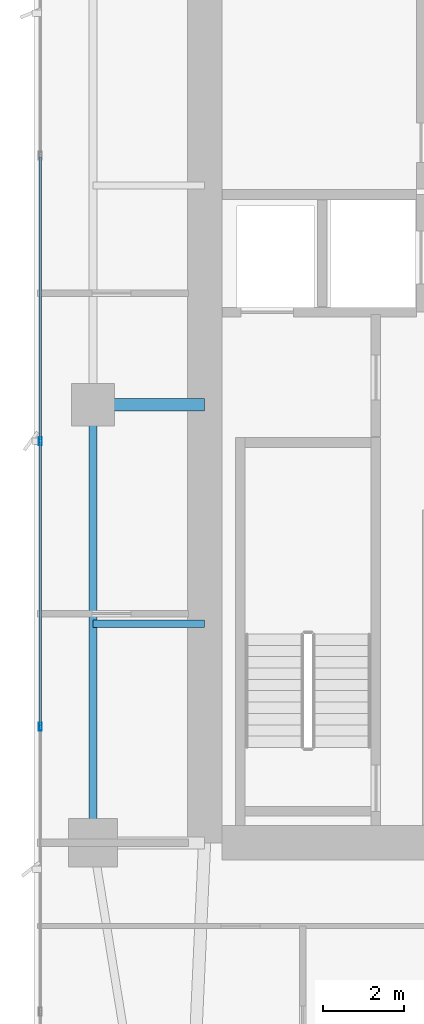
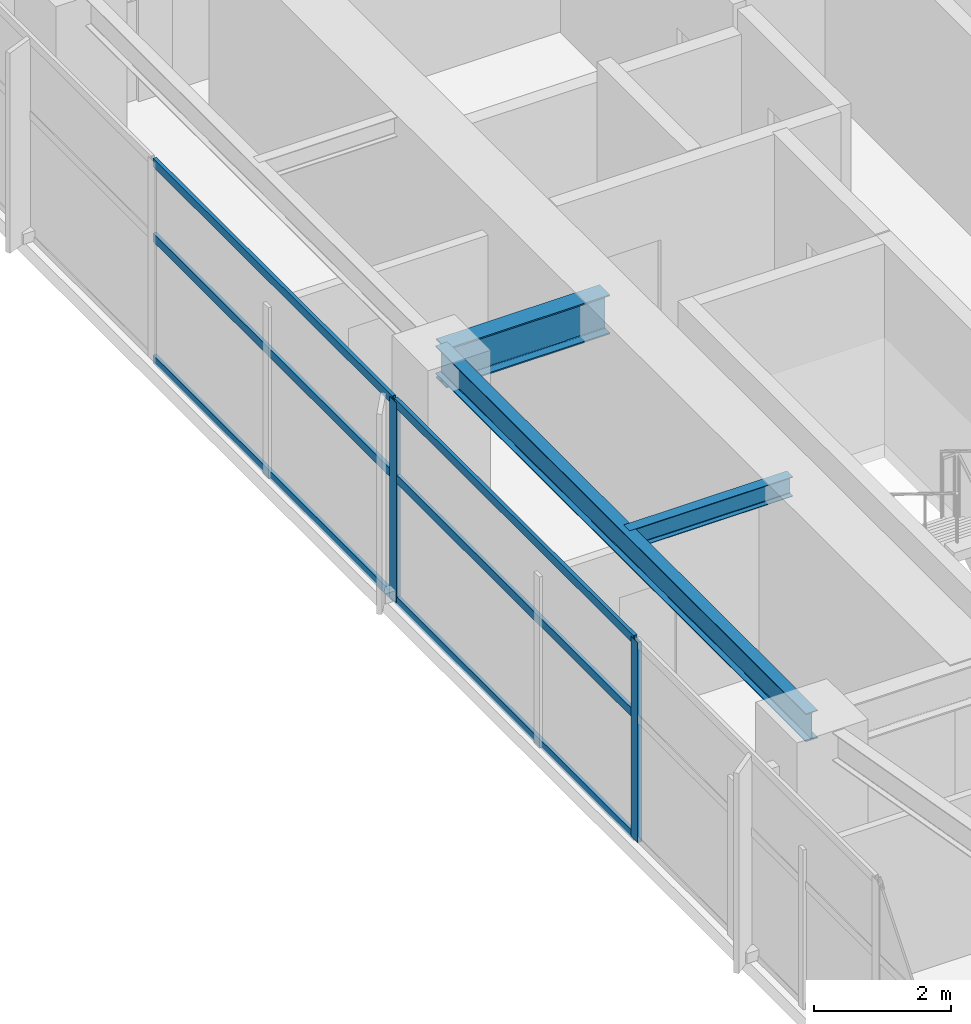
# One storey, part 8 of 29: 8 members, 3 beams, 1 element without a shape of its own.
"""IFC4 building model written with IfcOpenShell, lengths in metres."""

from ifc_helpers import new_model, si_unit, direction, frame, origin, origin_2d, place, context, subcontext, project, spatial, hollow_rectangle, i_section, extrude, material, layer, layer_set, material_profile, profile_set, type_object, element, aggregate, save


model = new_model("IFC4")

# Units and contexts
model_context = context("Model", 3, precision=1e-05, world=origin(), true_north=direction((0.0, 1.0)))
body_context = subcontext(model_context, "Body", "Model", "MODEL_VIEW")
ifc_project = project(units=[si_unit("LENGTHUNIT", "METRE"), si_unit("AREAUNIT", "SQUARE_METRE"), si_unit("VOLUMEUNIT", "CUBIC_METRE"), si_unit("PLANEANGLEUNIT", "RADIAN"), si_unit("MASSUNIT", "GRAM", prefix="KILO")], contexts=[model_context])

# Site, building, storey
site_placement = place(None, origin())
site = spatial("IfcSite", under=ifc_project, at=site_placement, CompositionType="ELEMENT")
building_placement = place(site_placement, origin())
building = spatial("IfcBuilding", under=site, at=building_placement, Name="Calvorn Quay Hotel", CompositionType="ELEMENT")
storey_placement = place(building_placement, frame((0.0, 0.0, 124.0)))
storey = spatial("IfcBuildingStorey", under=building, at=storey_placement, Name="L30", CompositionType="ELEMENT", Elevation=124.0)

# Beams
ifc_material_1 = material(Name="Steel Q390GJC", Category="steel")
ifc_material_profile_1 = material_profile(ifc_material_1, i_section(OverallWidth=0.300048828125, OverallDepth=0.699951171875, WebThickness=0.012939453125, FlangeThickness=0.02392578125, FilletRadius=0.02392578125, at=origin_2d()), Name="HN700x300x13x24")
ifc_profile_set_1 = profile_set([ifc_material_profile_1], Name="Steel Q390GJC")
beam_type_1 = type_object("IfcBeamType", Name="BM-GIRD-MAIN", PredefinedType="BEAM", material=ifc_profile_set_1)
beam_1_placement = place(storey_placement, frame((1.449951171875, 27.60009765625, 3.18994140625), z_axis=(1.0, 0.0, 0.0), x_axis=(0.0, 1.0, 0.0)))
element("IfcBeam", 1, at=beam_1_placement, inside=storey, type_object=beam_type_1, Name="Beam BG-L30-W2", PredefinedType="BEAM", context=body_context, shape_type="SweptSolid", body=[
    extrude(i_section(OverallWidth=0.300048828125, OverallDepth=0.699951171875, WebThickness=0.012939453125, FlangeThickness=0.02392578125, FilletRadius=0.02392578125, at=origin_2d()), origin(), (0.0, 0.0, 1.0), 2.75),
])
ifc_material_2 = material(Name="Steel Q355B", Category="steel")
ifc_material_profile_2 = material_profile(ifc_material_2, i_section(OverallWidth=0.175048828125, OverallDepth=0.35009765625, WebThickness=0.007080078125, FlangeThickness=0.010986328125, FilletRadius=0.013916015625, at=origin_2d()), Name="HN350x175x7x11")
ifc_profile_set_2 = profile_set([ifc_material_profile_2], Name="Steel Q355B")
beam_type_2 = type_object("IfcBeamType", Name="BM-JOIST-SEC", PredefinedType="JOIST", material=ifc_profile_set_2)
beam_2_placement = place(storey_placement, frame((1.449951171875, 22.199951171875, 3.364990234375), z_axis=(1.0, 0.0, 0.0), x_axis=(0.0, 1.0, 0.0)))
element("IfcBeam", 2, at=beam_2_placement, inside=storey, type_object=beam_type_2, Name="Beam BJ-L30-W3", PredefinedType="JOIST", context=body_context, shape_type="SweptSolid", body=[
    extrude(i_section(OverallWidth=0.175048828125, OverallDepth=0.35009765625, WebThickness=0.007080078125, FlangeThickness=0.010986328125, FilletRadius=0.013916015625, at=origin_2d()), origin(), (0.0, 0.0, 1.0), 2.75),
])
ifc_material_3 = material(Name="Steel Q355B", Category="steel")
ifc_material_profile_3 = material_profile(ifc_material_3, i_section(OverallWidth=0.199951171875, OverallDepth=0.5, WebThickness=0.010009765625, FlangeThickness=0.01611328125, FilletRadius=0.01611328125, at=origin_2d()), Name="HN500x200x10x16")
ifc_profile_set_3 = profile_set([ifc_material_profile_3], Name="Steel Q355B")
beam_type_3 = type_object("IfcBeamType", Name="BM-SPANDREL-Z1", PredefinedType="SPANDREL", material=ifc_profile_set_3)
beam_3_placement = place(storey_placement, frame((1.449951171875, 16.800048828125, 3.2900390625), z_axis=(0.0, 1.0, 0.0), x_axis=(-1.0, 0.0, 0.0)))
element("IfcBeam", 3, at=beam_3_placement, inside=storey, type_object=beam_type_3, Name="Beam BSP-L30-W2", PredefinedType="SPANDREL", context=body_context, shape_type="SweptSolid", body=[
    extrude(i_section(OverallWidth=0.199951171875, OverallDepth=0.5, WebThickness=0.010009765625, FlangeThickness=0.01611328125, FilletRadius=0.01611328125, at=origin_2d()), origin(), (0.0, 0.0, 1.0), 10.800048828125),
])

# Curtain wall, members
ifc_material_4 = material(Name="Pale Anodised Aluminium and Low-E Glass", Category="aluminium")
ifc_layer = layer(ifc_material_4, 0.219970703125)
ifc_layer_set = layer_set([ifc_layer], Name="CW-SYS-Z2")
curtain_wall_type = type_object("IfcCurtainWallType", Name="CW-SYS-Z2", PredefinedType="NOTDEFINED", material=ifc_layer_set)
curtain_wall_placement = place(storey_placement, origin())
curtain_wall = element("IfcCurtainWall", 4, at=curtain_wall_placement, inside=storey, type_object=curtain_wall_type, Name="Tower West Curtain Wall (L30)", PredefinedType="NOTDEFINED")
ifc_material_5 = material(Name="Pale Anodised Aluminium 6063-T6", Category="aluminium")
ifc_material_profile_4 = material_profile(ifc_material_5, hollow_rectangle(XDim=0.070068359375, YDim=0.199951171875, WallThickness=0.00390625, at=origin_2d()), Name="ALU-M200x70x4")
ifc_profile_set_4 = profile_set([ifc_material_profile_4], Name="Pale Anodised Aluminium 6063-T6")
member_type_1 = type_object("IfcMemberType", Name="CW-SYS-Z2-MUL", PredefinedType="MULLION", material=ifc_profile_set_4)
member_1_placement = place(storey_placement, frame((0.14990234375, 19.666748046875, 0.0), z_axis=(0.0, 0.0, 1.0), x_axis=(-1.0, 0.0, 0.0)))
member_1 = element("IfcMember", 5, at=member_1_placement, type_object=member_type_1, Name="CW-L30-W mullion 3", PredefinedType="MULLION", context=body_context, shape_type="SweptSolid", body=[
    extrude(hollow_rectangle(XDim=0.070068359375, YDim=0.199951171875, WallThickness=0.00390625, at=origin_2d()), origin(), (0.0, 0.0, 1.0), 3.56005859375),
])
member_2_placement = place(storey_placement, frame((0.14990234375, 26.699951171875, 0.0), z_axis=(0.0, 0.0, 1.0), x_axis=(-1.0, 0.0, 0.0)))
member_2 = element("IfcMember", 6, at=member_2_placement, type_object=member_type_1, Name="CW-L30-W mullion 4", PredefinedType="MULLION", context=body_context, shape_type="SweptSolid", body=[
    extrude(hollow_rectangle(XDim=0.070068359375, YDim=0.199951171875, WallThickness=0.00390625, at=origin_2d()), origin(), (0.0, 0.0, 1.0), 3.56005859375),
])
ifc_material_6 = material(Name="Pale Anodised Aluminium 6063-T6", Category="aluminium")
ifc_material_profile_5 = material_profile(ifc_material_6, hollow_rectangle(XDim=0.06005859375, YDim=0.14990234375, WallThickness=0.00341796875, at=origin_2d()), Name="ALU-T150x60x3.5")
ifc_profile_set_5 = profile_set([ifc_material_profile_5], Name="Pale Anodised Aluminium 6063-T6")
member_type_2 = type_object("IfcMemberType", Name="CW-SYS-Z2-TRN", PredefinedType="USERDEFINED", material=ifc_profile_set_5)
member_3_placement = place(storey_placement, frame((0.14990234375, 19.69677734375, 0.030029296875), z_axis=(0.0, 1.0, 0.0), x_axis=(-1.0, 0.0, 0.0)))
member_3 = element("IfcMember", 7, at=member_3_placement, type_object=member_type_2, Name="CW-L30-W transom 3.1", ObjectType="TRANSOM", PredefinedType="USERDEFINED", context=body_context, shape_type="SweptSolid", body=[
    extrude(hollow_rectangle(XDim=0.06005859375, YDim=0.14990234375, WallThickness=0.00341796875, at=origin_2d()), origin(), (0.0, 0.0, 1.0), 6.97314453125),
])
member_4_placement = place(storey_placement, frame((0.14990234375, 19.69677734375, 2.199951171875), z_axis=(0.0, 1.0, 0.0), x_axis=(-1.0, 0.0, 0.0)))
member_4 = element("IfcMember", 8, at=member_4_placement, type_object=member_type_2, Name="CW-L30-W transom 3.2", ObjectType="TRANSOM", PredefinedType="USERDEFINED", context=body_context, shape_type="SweptSolid", body=[
    extrude(hollow_rectangle(XDim=0.06005859375, YDim=0.14990234375, WallThickness=0.00341796875, at=origin_2d()), origin(), (0.0, 0.0, 1.0), 6.97314453125),
])
member_5_placement = place(storey_placement, frame((0.14990234375, 19.69677734375, 3.530029296875), z_axis=(0.0, 1.0, 0.0), x_axis=(-1.0, 0.0, 0.0)))
member_5 = element("IfcMember", 9, at=member_5_placement, type_object=member_type_2, Name="CW-L30-W transom 3.3", ObjectType="TRANSOM", PredefinedType="USERDEFINED", context=body_context, shape_type="SweptSolid", body=[
    extrude(hollow_rectangle(XDim=0.06005859375, YDim=0.14990234375, WallThickness=0.00341796875, at=origin_2d()), origin(), (0.0, 0.0, 1.0), 6.97314453125),
])
member_6_placement = place(storey_placement, frame((0.14990234375, 26.72998046875, 0.030029296875), z_axis=(0.0, 1.0, 0.0), x_axis=(-1.0, 0.0, 0.0)))
member_6 = element("IfcMember", 10, at=member_6_placement, type_object=member_type_2, Name="CW-L30-W transom 4.1", ObjectType="TRANSOM", PredefinedType="USERDEFINED", context=body_context, shape_type="SweptSolid", body=[
    extrude(hollow_rectangle(XDim=0.06005859375, YDim=0.14990234375, WallThickness=0.00341796875, at=origin_2d()), origin(), (0.0, 0.0, 1.0), 6.973388671875),
])
member_7_placement = place(storey_placement, frame((0.14990234375, 26.72998046875, 2.199951171875), z_axis=(0.0, 1.0, 0.0), x_axis=(-1.0, 0.0, 0.0)))
member_7 = element("IfcMember", 11, at=member_7_placement, type_object=member_type_2, Name="CW-L30-W transom 4.2", ObjectType="TRANSOM", PredefinedType="USERDEFINED", context=body_context, shape_type="SweptSolid", body=[
    extrude(hollow_rectangle(XDim=0.06005859375, YDim=0.14990234375, WallThickness=0.00341796875, at=origin_2d()), origin(), (0.0, 0.0, 1.0), 6.973388671875),
])
member_8_placement = place(storey_placement, frame((0.14990234375, 26.72998046875, 3.530029296875), z_axis=(0.0, 1.0, 0.0), x_axis=(-1.0, 0.0, 0.0)))
member_8 = element("IfcMember", 12, at=member_8_placement, type_object=member_type_2, Name="CW-L30-W transom 4.3", ObjectType="TRANSOM", PredefinedType="USERDEFINED", context=body_context, shape_type="SweptSolid", body=[
    extrude(hollow_rectangle(XDim=0.06005859375, YDim=0.14990234375, WallThickness=0.00341796875, at=origin_2d()), origin(), (0.0, 0.0, 1.0), 6.973388671875),
])
aggregate(curtain_wall, [member_1, member_2, member_3, member_4, member_5, member_6, member_7, member_8])

save(model, "model.ifc")
